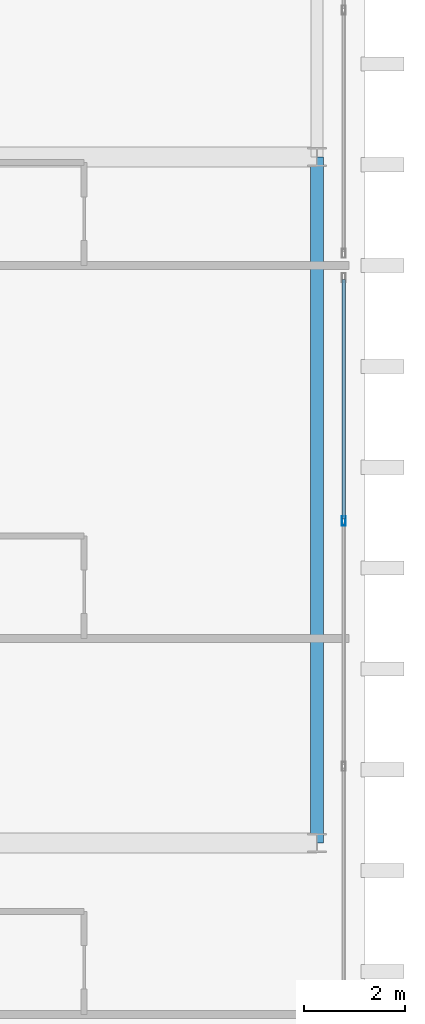
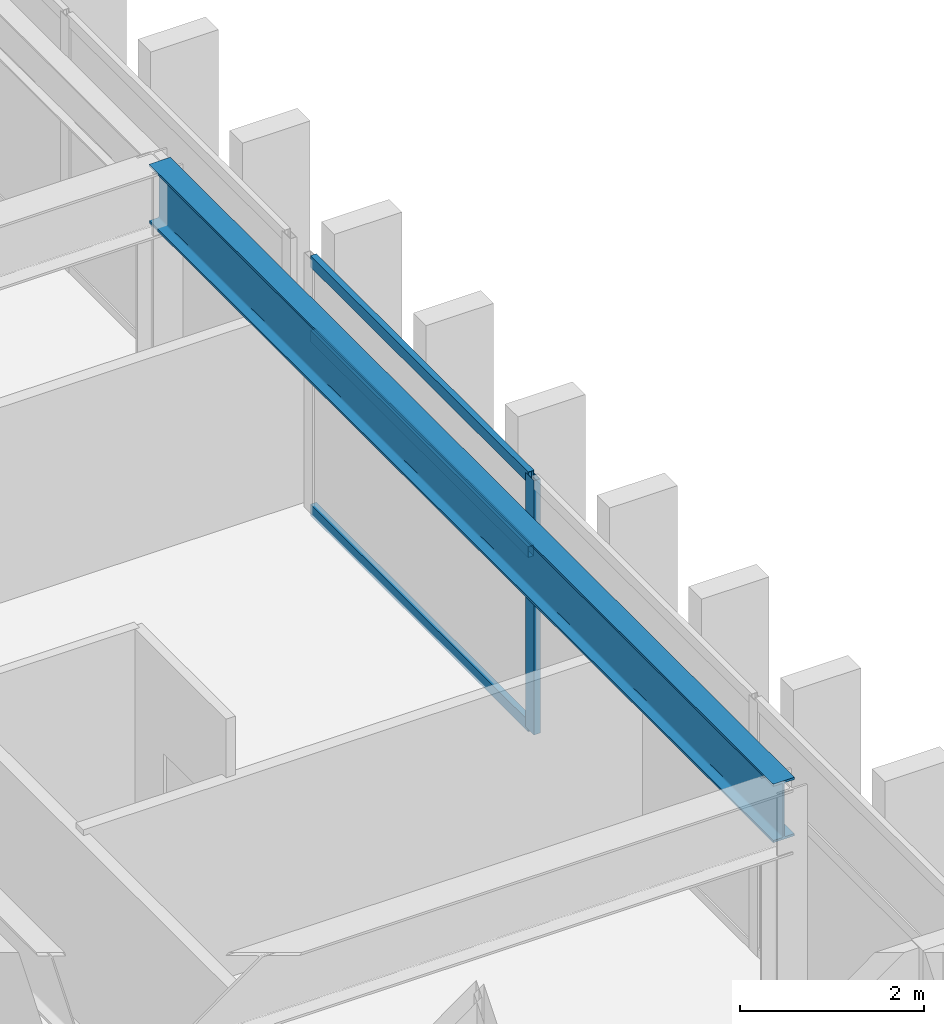
# One storey, part 5 of 15: 4 members, 1 beam, 1 element without a shape of its own.
"""IFC4 building model written with IfcOpenShell, lengths in metres."""

from ifc_helpers import new_model, si_unit, direction, frame, origin, origin_2d, place, context, subcontext, project, spatial, hollow_rectangle, i_section, extrude, source, transform, mapped, material, layer, layer_set, material_profile, profile_set, type_object, element, aggregate, save


model = new_model("IFC4")

# Units and contexts
model_context = context("Model", 3, precision=1e-05, world=origin(), true_north=direction((0.0, 1.0)))
body_context = subcontext(model_context, "Body", "Model", "MODEL_VIEW")
ifc_project = project(units=[si_unit("LENGTHUNIT", "METRE"), si_unit("AREAUNIT", "SQUARE_METRE"), si_unit("VOLUMEUNIT", "CUBIC_METRE"), si_unit("PLANEANGLEUNIT", "RADIAN"), si_unit("MASSUNIT", "GRAM", prefix="KILO")], contexts=[model_context])

# Site, building, storey
site_placement = place(None, origin())
site = spatial("IfcSite", under=ifc_project, at=site_placement, CompositionType="ELEMENT")
building_placement = place(site_placement, origin())
building = spatial("IfcBuilding", under=site, at=building_placement, Name="Ocotamira Hotel", CompositionType="ELEMENT")
storey_placement = place(building_placement, frame((0.0, 0.0, 290.39990234375)))
storey = spatial("IfcBuildingStorey", under=building, at=storey_placement, Name="L74", CompositionType="ELEMENT", Elevation=290.39990234375)

# Beam
ifc_material_1 = material(Name="Steel ASTM A992 Grade 50", Category="steel")
ifc_material_profile_1 = material_profile(ifc_material_1, i_section(OverallWidth=0.26611328125, OverallDepth=0.779052734375, WebThickness=0.0166015625, FlangeThickness=0.030029296875, FilletRadius=0.01806640625, at=origin_2d()), Name="W30X148")
ifc_profile_set_1 = profile_set([ifc_material_profile_1], Name="Steel ASTM A992 Grade 50")
beam_type = type_object("IfcBeamType", Name="BM-GIRD-W30X148", PredefinedType="BEAM", material=ifc_profile_set_1)
shared_shape_1 = source(origin(), body_context, "Body", "SweptSolid", [
    extrude(i_section(OverallWidth=0.26611328125, OverallDepth=0.779052734375, WebThickness=0.0166015625, FlangeThickness=0.030029296875, FilletRadius=0.01806640625, at=origin_2d()), origin(), (0.0, 0.0, 1.0), 13.599853515625),
])
beam_placement = place(storey_placement, frame((32.050048828125, 14.550048828125, 2.990478515625), z_axis=(0.0, 1.0, 0.0), x_axis=(-1.0, 0.0, 0.0)))
element("IfcBeam", 1, at=beam_placement, inside=storey, type_object=beam_type, Name="L74 Beam X32.05 Y14.55-28.15", PredefinedType="BEAM", context=body_context, shape_type="MappedRepresentation", body=[
    mapped(shared_shape_1, transform((0.0, 0.0, 0.0), scale=1.0)),
])

# Curtain wall, members
ifc_material_2 = material(Name="Anodised pale-metal aluminium and solar glass", Category="aluminium")
ifc_layer = layer(ifc_material_2, 0.2099609375)
ifc_layer_set = layer_set([ifc_layer], Name="Anodised pale-metal aluminium and solar glass")
curtain_wall_type = type_object("IfcCurtainWallType", Name="CW-SYS7-PEAK", PredefinedType="NOTDEFINED", material=ifc_layer_set)
curtain_wall_placement = place(storey_placement, origin())
curtain_wall = element("IfcCurtainWall", 2, at=curtain_wall_placement, inside=storey, type_object=curtain_wall_type, Name="L74 Curtain Wall CW-7 CW-L74-E1", PredefinedType="NOTDEFINED")
ifc_material_3 = material(Name="Anodised pale-metal aluminium 6063-T6", Category="aluminium")
ifc_material_profile_2 = material_profile(ifc_material_3, hollow_rectangle(XDim=0.080078125, YDim=0.179931640625, WallThickness=0.006103515625, at=origin_2d()), Name="HSS180X80X6")
ifc_profile_set_2 = profile_set([ifc_material_profile_2], Name="Anodised pale-metal aluminium 6063-T6")
member_type_1 = type_object("IfcMemberType", Name="CWM-180X75", PredefinedType="MULLION", material=ifc_profile_set_2)
shared_shape_2 = source(origin(), body_context, "Body", "SweptSolid", [
    extrude(hollow_rectangle(XDim=0.080078125, YDim=0.179931640625, WallThickness=0.006103515625, at=origin_2d()), origin(), (0.0, 0.0, 1.0), 3.380126953125),
])
member_1_placement = place(storey_placement, frame((32.580078125, 20.933349609375, 0.0), z_axis=(0.0, 0.0, 1.0), x_axis=(-1.0, 0.0, 0.0)))
member_1 = element("IfcMember", 3, at=member_1_placement, type_object=member_type_1, Name="CW-7 mullion 3", PredefinedType="MULLION", context=body_context, shape_type="MappedRepresentation", body=[
    mapped(shared_shape_2, transform((0.0, 0.0, 0.0), scale=1.0)),
])
ifc_material_profile_3 = material_profile(ifc_material_3, hollow_rectangle(XDim=0.074951171875, YDim=0.14990234375, WallThickness=0.006103515625, at=origin_2d()), Name="HSS150X75X6")
ifc_profile_set_3 = profile_set([ifc_material_profile_3], Name="Anodised pale-metal aluminium 6063-T6")
member_type_2 = type_object("IfcMemberType", Name="CWT-150X75", PredefinedType="USERDEFINED", material=ifc_profile_set_3)
shared_shape_3 = source(origin(), body_context, "Body", "SweptSolid", [
    extrude(hollow_rectangle(XDim=0.074951171875, YDim=0.14990234375, WallThickness=0.006103515625, at=origin_2d()), origin(), (0.0, 0.0, 1.0), 4.74658203125),
])
member_2_placement = place(storey_placement, frame((32.580078125, 20.973388671875, 0.03759765625), z_axis=(0.0, 1.0, 0.0), x_axis=(-1.0, 0.0, 0.0)))
member_2 = element("IfcMember", 4, at=member_2_placement, type_object=member_type_2, Name="CW-7 transom 3.1", ObjectType="TRANSOM", PredefinedType="USERDEFINED", context=body_context, shape_type="MappedRepresentation", body=[
    mapped(shared_shape_3, transform((0.0, 0.0, 0.0), scale=1.0)),
])
member_3_placement = place(storey_placement, frame((32.580078125, 20.973388671875, 2.35009765625), z_axis=(0.0, 1.0, 0.0), x_axis=(-1.0, 0.0, 0.0)))
member_3 = element("IfcMember", 5, at=member_3_placement, type_object=member_type_2, Name="CW-7 transom 3.2", ObjectType="TRANSOM", PredefinedType="USERDEFINED", context=body_context, shape_type="MappedRepresentation", body=[
    mapped(shared_shape_3, transform((0.0, 0.0, 0.0), scale=1.0)),
])
member_4_placement = place(storey_placement, frame((32.580078125, 20.973388671875, 3.342529296875), z_axis=(0.0, 1.0, 0.0), x_axis=(-1.0, 0.0, 0.0)))
member_4 = element("IfcMember", 6, at=member_4_placement, type_object=member_type_2, Name="CW-7 transom 3.3", ObjectType="TRANSOM", PredefinedType="USERDEFINED", context=body_context, shape_type="MappedRepresentation", body=[
    mapped(shared_shape_3, transform((0.0, 0.0, 0.0), scale=1.0)),
])
aggregate(curtain_wall, [member_1, member_2, member_3, member_4])

save(model, "model.ifc")
